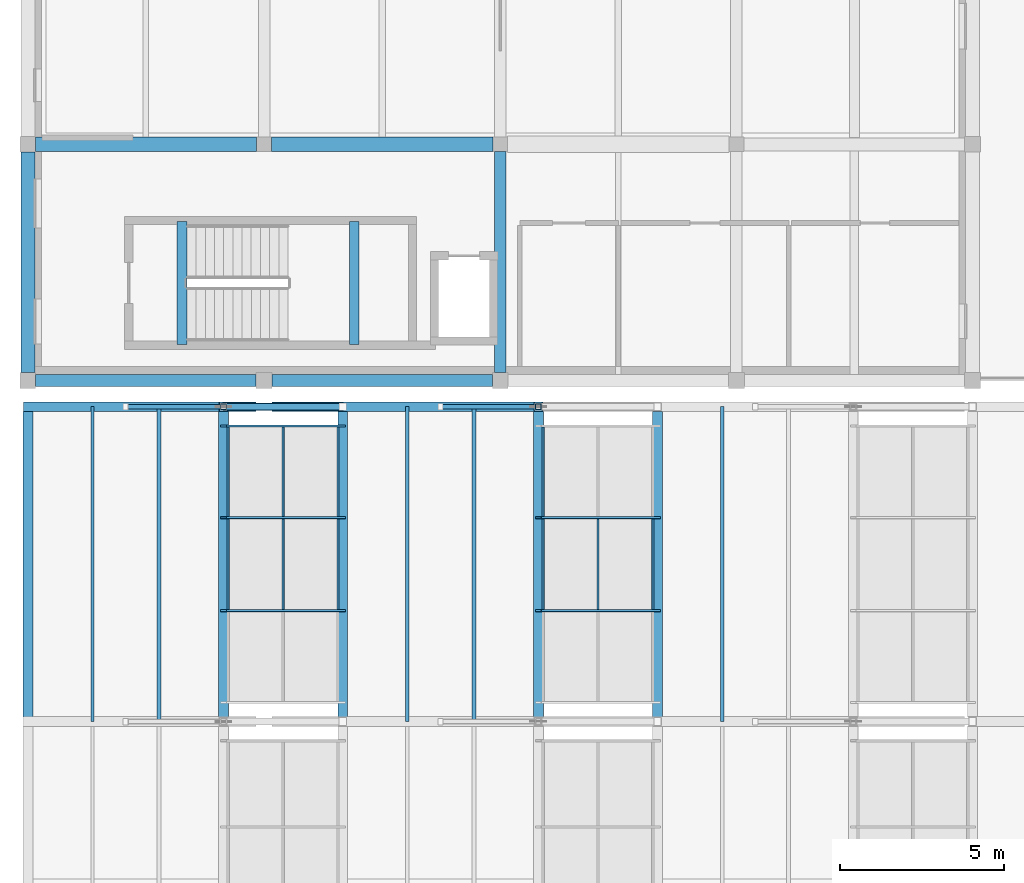
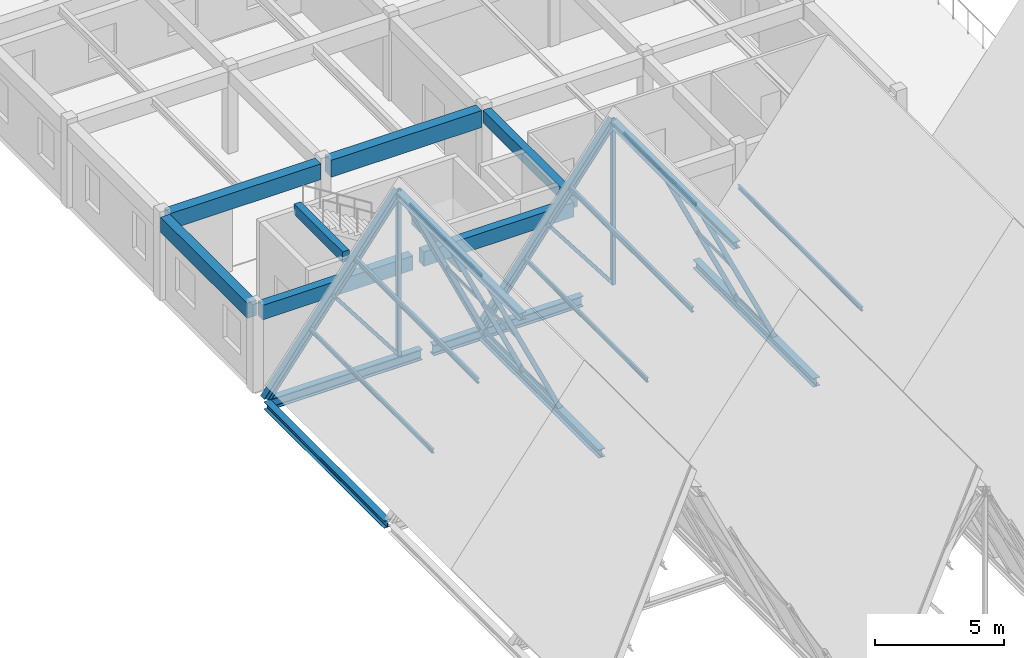
# One storey, part 25 of 99: 27 members, 15 beams, 2 elements without a shape of their own.
"""IFC4 building model written with IfcOpenShell, lengths in metres."""

from ifc_helpers import new_model, si_unit, direction, frame, origin, origin_2d, place, context, subcontext, project, spatial, rectangle, hollow_rectangle, hollow_circle, i_section, extrude, material, material_profile, profile_set, type_object, element, aggregate, save


model = new_model("IFC4")

# Units and contexts
model_context = context("Model", 3, precision=1e-05, world=origin(), true_north=direction((0.0, 1.0)))
body_context = subcontext(model_context, "Body", "Model", "MODEL_VIEW")
ifc_project = project(units=[si_unit("LENGTHUNIT", "METRE"), si_unit("AREAUNIT", "SQUARE_METRE"), si_unit("VOLUMEUNIT", "CUBIC_METRE"), si_unit("PLANEANGLEUNIT", "RADIAN"), si_unit("MASSUNIT", "GRAM", prefix="KILO")], contexts=[model_context])

# Site, building, storey
site_placement = place(None, origin())
site = spatial("IfcSite", under=ifc_project, at=site_placement, CompositionType="ELEMENT")
building_placement = place(site_placement, origin())
building = spatial("IfcBuilding", under=site, at=building_placement, Name="Bramveld Media Centre", CompositionType="ELEMENT")
storey_placement = place(building_placement, frame((0.0, 0.0, 13.800048828125)))
storey = spatial("IfcBuildingStorey", under=building, at=storey_placement, Name="L03", CompositionType="ELEMENT", Elevation=13.800048828125)

# Beams
ifc_material_1 = material(Name="Concrete C40/50", Category="concrete")
ifc_material_profile_1 = material_profile(ifc_material_1, rectangle(XDim=0.300048828125, YDim=0.5, at=origin_2d()), Name="RC 300x500")
ifc_profile_set_1 = profile_set([ifc_material_profile_1], Name="Concrete C40/50")
beam_type_1 = type_object("IfcBeamType", Name="BM-INT-RC-300x500", PredefinedType="BEAM", material=ifc_profile_set_1)
for number, where, z_axis, x_axis, name in (
    (1, (4.699951171875, 40.300048828125, 3.949951171875), (0.0, 1.0, 0.0), (-1.0, 0.0, 0.0), "ST-04 L04 stairwell landing trimmer beam"),
    (2, (9.949951171875, 40.300048828125, 1.64990234375), (0.0, 1.0, 0.0), (-1.0, 0.0, 0.0), "ST-04 L03 stairwell half-landing support beam"),
):
    element("IfcBeam", number, at=place(storey_placement, frame(where, z_axis=z_axis, x_axis=x_axis)), inside=storey, type_object=beam_type_1, Name=name, PredefinedType="BEAM", context=body_context, shape_type="SweptSolid", body=[
        extrude(rectangle(XDim=0.300048828125, YDim=0.5, at=origin_2d()), origin(), (0.0, 0.0, 1.0), 3.75),
    ])
ifc_material_2 = material(Name="Concrete C40/50", Category="concrete")
ifc_material_profile_2 = material_profile(ifc_material_2, rectangle(XDim=0.35009765625, YDim=0.60009765625, at=origin_2d()), Name="RC 350x600")
ifc_profile_set_2 = profile_set([ifc_material_profile_2], Name="Concrete C40/50")
beam_type_2 = type_object("IfcBeamType", Name="BM-INT-RC-350x600", PredefinedType="BEAM", material=ifc_profile_set_2)
beam_1_placement = place(storey_placement, frame((14.39990234375, 39.43994140625, 3.659912109375), z_axis=(0.0, 1.0, 0.0), x_axis=(-1.0, 0.0, 0.0)))
element("IfcBeam", 3, at=beam_1_placement, inside=storey, type_object=beam_type_2, Name="V3 L03 girder Y-416", PredefinedType="BEAM", context=body_context, shape_type="SweptSolid", body=[
    extrude(rectangle(XDim=0.35009765625, YDim=0.60009765625, at=origin_2d()), origin(), (0.0, 0.0, 1.0), 6.735107421875),
])
ifc_material_3 = material(Name="Concrete C40/50", Category="concrete")
ifc_material_profile_3 = material_profile(ifc_material_3, rectangle(XDim=0.449951171875, YDim=0.75, at=origin_2d()), Name="RC 450x750")
ifc_profile_set_3 = profile_set([ifc_material_profile_3], Name="Concrete C40/50")
beam_type_3 = type_object("IfcBeamType", Name="BM-INT-RC-450x750", PredefinedType="BEAM", material=ifc_profile_set_3)
beam_2_placement = place(storey_placement, frame((0.239990234375, 46.39990234375, 3.5849609375), z_axis=(1.0, 0.0, 0.0), x_axis=(0.0, 1.0, 0.0)))
element("IfcBeam", 4, at=beam_2_placement, inside=storey, type_object=beam_type_3, Name="V3 L03 girder X-393", PredefinedType="BEAM", context=body_context, shape_type="SweptSolid", body=[
    extrude(rectangle(XDim=0.449951171875, YDim=0.75, at=origin_2d()), origin(), (0.0, 0.0, 1.0), 6.735107421875),
])
ifc_material_4 = material(Name="Concrete C40/50", Category="concrete")
ifc_material_profile_4 = material_profile(ifc_material_4, rectangle(XDim=0.449951171875, YDim=0.800048828125, at=origin_2d()), Name="RC 450x800")
ifc_profile_set_4 = profile_set([ifc_material_profile_4], Name="Concrete C40/50")
beam_type_4 = type_object("IfcBeamType", Name="BM-INT-RC-450x800", PredefinedType="BEAM", material=ifc_profile_set_4)
beam_3_placement = place(storey_placement, frame((7.425048828125, 46.39990234375, 3.56005859375), z_axis=(1.0, 0.0, 0.0), x_axis=(0.0, 1.0, 0.0)))
element("IfcBeam", 5, at=beam_3_placement, inside=storey, type_object=beam_type_4, Name="V3 L03 girder X-394", PredefinedType="BEAM", context=body_context, shape_type="SweptSolid", body=[
    extrude(rectangle(XDim=0.449951171875, YDim=0.800048828125, at=origin_2d()), origin(), (0.0, 0.0, 1.0), 6.75),
])

# Curtain wall, members
ifc_material_5 = material(Name="Thermally broken anodized bronze aluminium unitized curtain wall with solar-control triple glazing", Category="aluminium")
curtain_wall_type = type_object("IfcCurtainWallType", Name="CW-SAW-8500x8606", PredefinedType="NOTDEFINED", material=ifc_material_5)
curtain_wall_1_placement = place(storey_placement, origin())
curtain_wall_1 = element("IfcCurtainWall", 6, at=curtain_wall_1_placement, inside=storey, type_object=curtain_wall_type, Name="V2 sawtooth north-light clerestory B1-S3", PredefinedType="NOTDEFINED")
ifc_material_6 = material(Name="Thermally broken anodized bronze aluminium EN AW-6063 T6 curtain-wall framing", Category="aluminium")
ifc_material_profile_5 = material_profile(ifc_material_6, hollow_rectangle(XDim=0.070068359375, YDim=0.199951171875, WallThickness=0.00439453125, InnerFilletRadius=0.00439453125, OuterFilletRadius=0.009033203125, at=origin_2d()), Name="AL-MULL 70x200")
ifc_profile_set_5 = profile_set([ifc_material_profile_5], Name="Thermally broken anodized bronze aluminium EN AW-6063 T6 curtain-wall framing")
member_type_1 = type_object("IfcMemberType", Name="CW-MULL-SLP", PredefinedType="MULLION", material=ifc_profile_set_5)
member_1_placement = place(storey_placement, frame((9.60009765625, 32.183349609375, -0.02001953125), z_axis=(-0.423956992265, 0.0, 0.90568232218), x_axis=(0.0, -1.0, 0.0)))
member_1 = element("IfcMember", 7, at=member_1_placement, type_object=member_type_1, Name="CW-SA-8586 sloped mullion 2", PredefinedType="MULLION", context=body_context, shape_type="SweptSolid", body=[
    extrude(hollow_rectangle(XDim=0.070068359375, YDim=0.199951171875, WallThickness=0.00439453125, InnerFilletRadius=0.00439453125, OuterFilletRadius=0.009033203125, at=origin_2d()), origin(), (0.0, 0.0, 1.0), 8.5791015625),
])
member_2_placement = place(storey_placement, frame((9.60009765625, 35.0166015625, -0.02001953125), z_axis=(-0.423956992265, 0.0, 0.90568232218), x_axis=(0.0, -1.0, 0.0)))
member_2 = element("IfcMember", 8, at=member_2_placement, type_object=member_type_1, Name="CW-SA-8586 sloped mullion 3", PredefinedType="MULLION", context=body_context, shape_type="SweptSolid", body=[
    extrude(hollow_rectangle(XDim=0.070068359375, YDim=0.199951171875, WallThickness=0.00439453125, InnerFilletRadius=0.00439453125, OuterFilletRadius=0.009033203125, at=origin_2d()), origin(), (0.0, 0.0, 1.0), 8.5791015625),
])
member_3_placement = place(storey_placement, frame((9.60009765625, 37.81494140625, -0.02001953125), z_axis=(-0.423956992265, 0.0, 0.90568232218), x_axis=(0.0, -1.0, 0.0)))
member_3 = element("IfcMember", 9, at=member_3_placement, type_object=member_type_1, Name="CW-SA-8586 sloped mullion 4", PredefinedType="MULLION", context=body_context, shape_type="SweptSolid", body=[
    extrude(hollow_rectangle(XDim=0.070068359375, YDim=0.199951171875, WallThickness=0.00439453125, InnerFilletRadius=0.00439453125, OuterFilletRadius=0.009033203125, at=origin_2d()), origin(), (0.0, 0.0, 1.0), 8.5791015625),
])

curtain_wall_2_placement = place(storey_placement, origin())
curtain_wall_2 = element("IfcCurtainWall", 10, at=curtain_wall_2_placement, inside=storey, type_object=curtain_wall_type, Name="V2 sawtooth north-light clerestory B2-S3", PredefinedType="NOTDEFINED")
member_4_placement = place(storey_placement, frame((19.199951171875, 32.183349609375, -0.02001953125), z_axis=(-0.423956992265, 0.0, 0.90568232218), x_axis=(0.0, -1.0, 0.0)))
member_4 = element("IfcMember", 11, at=member_4_placement, type_object=member_type_1, Name="CW-SA-8586 sloped mullion 2", PredefinedType="MULLION", context=body_context, shape_type="SweptSolid", body=[
    extrude(hollow_rectangle(XDim=0.070068359375, YDim=0.199951171875, WallThickness=0.00439453125, InnerFilletRadius=0.00439453125, OuterFilletRadius=0.009033203125, at=origin_2d()), origin(), (0.0, 0.0, 1.0), 8.5791015625),
])
member_5_placement = place(storey_placement, frame((19.199951171875, 35.0166015625, -0.02001953125), z_axis=(-0.423956992265, 0.0, 0.90568232218), x_axis=(0.0, -1.0, 0.0)))
member_5 = element("IfcMember", 12, at=member_5_placement, type_object=member_type_1, Name="CW-SA-8586 sloped mullion 3", PredefinedType="MULLION", context=body_context, shape_type="SweptSolid", body=[
    extrude(hollow_rectangle(XDim=0.070068359375, YDim=0.199951171875, WallThickness=0.00439453125, InnerFilletRadius=0.00439453125, OuterFilletRadius=0.009033203125, at=origin_2d()), origin(), (0.0, 0.0, 1.0), 8.5791015625),
])

# Member
ifc_material_7 = material(Name="Thermally broken anodized bronze aluminium EN AW-6063 T6 curtain-wall framing", Category="aluminium")
ifc_material_profile_6 = material_profile(ifc_material_7, hollow_rectangle(XDim=0.070068359375, YDim=0.14990234375, WallThickness=0.00390625, InnerFilletRadius=0.00390625, OuterFilletRadius=0.008056640625, at=origin_2d()), Name="AL-TRAN 70x150")
ifc_profile_set_6 = profile_set([ifc_material_profile_6], Name="Thermally broken anodized bronze aluminium EN AW-6063 T6 curtain-wall framing")
member_type_2 = type_object("IfcMemberType", Name="CW-TRAN-SLP", PredefinedType="USERDEFINED", material=ifc_profile_set_6)
member_6_placement = place(storey_placement, frame((9.45458984375, 32.21826171875, 0.290771484375), z_axis=(0.0, 1.0, 0.0), x_axis=(-1.0, 0.0, 0.0)))
member_6 = element("IfcMember", 13, at=member_6_placement, type_object=member_type_2, Name="CW-SA-8586 transom 2.1", ObjectType="TRANSOM", PredefinedType="USERDEFINED", context=body_context, shape_type="SweptSolid", body=[
    extrude(hollow_rectangle(XDim=0.070068359375, YDim=0.14990234375, WallThickness=0.00390625, InnerFilletRadius=0.00390625, OuterFilletRadius=0.008056640625, at=origin_2d()), origin(), (0.0, 0.0, 1.0), 2.763427734375),
])

member_7_placement = place(storey_placement, frame((7.781494140625, 32.21826171875, 3.864990234375), z_axis=(0.0, 1.0, 0.0), x_axis=(-1.0, 0.0, 0.0)))
member_7 = element("IfcMember", 14, at=member_7_placement, type_object=member_type_2, Name="CW-SA-8586 transom 2.2", ObjectType="TRANSOM", PredefinedType="USERDEFINED", context=body_context, shape_type="SweptSolid", body=[
    extrude(hollow_rectangle(XDim=0.070068359375, YDim=0.14990234375, WallThickness=0.00390625, InnerFilletRadius=0.00390625, OuterFilletRadius=0.008056640625, at=origin_2d()), origin(), (0.0, 0.0, 1.0), 2.763427734375),
])

member_8_placement = place(storey_placement, frame((6.1083984375, 32.21826171875, 7.439208984375), z_axis=(0.0, 1.0, 0.0), x_axis=(-1.0, 0.0, 0.0)))
member_8 = element("IfcMember", 15, at=member_8_placement, type_object=member_type_2, Name="CW-SA-8586 transom 2.3", ObjectType="TRANSOM", PredefinedType="USERDEFINED", context=body_context, shape_type="SweptSolid", body=[
    extrude(hollow_rectangle(XDim=0.070068359375, YDim=0.14990234375, WallThickness=0.00390625, InnerFilletRadius=0.00390625, OuterFilletRadius=0.008056640625, at=origin_2d()), origin(), (0.0, 0.0, 1.0), 2.763427734375),
])

member_9_placement = place(storey_placement, frame((9.45458984375, 35.0517578125, 0.290771484375), z_axis=(0.0, 1.0, 0.0), x_axis=(-1.0, 0.0, 0.0)))
member_9 = element("IfcMember", 16, at=member_9_placement, type_object=member_type_2, Name="CW-SA-8586 transom 3.1", ObjectType="TRANSOM", PredefinedType="USERDEFINED", context=body_context, shape_type="SweptSolid", body=[
    extrude(hollow_rectangle(XDim=0.070068359375, YDim=0.14990234375, WallThickness=0.00390625, InnerFilletRadius=0.00390625, OuterFilletRadius=0.008056640625, at=origin_2d()), origin(), (0.0, 0.0, 1.0), 2.728271484375),
])

member_10_placement = place(storey_placement, frame((7.781494140625, 35.0517578125, 3.864990234375), z_axis=(0.0, 1.0, 0.0), x_axis=(-1.0, 0.0, 0.0)))
member_10 = element("IfcMember", 17, at=member_10_placement, type_object=member_type_2, Name="CW-SA-8586 transom 3.2", ObjectType="TRANSOM", PredefinedType="USERDEFINED", context=body_context, shape_type="SweptSolid", body=[
    extrude(hollow_rectangle(XDim=0.070068359375, YDim=0.14990234375, WallThickness=0.00390625, InnerFilletRadius=0.00390625, OuterFilletRadius=0.008056640625, at=origin_2d()), origin(), (0.0, 0.0, 1.0), 2.728271484375),
])

member_11_placement = place(storey_placement, frame((6.1083984375, 35.0517578125, 7.439208984375), z_axis=(0.0, 1.0, 0.0), x_axis=(-1.0, 0.0, 0.0)))
member_11 = element("IfcMember", 18, at=member_11_placement, type_object=member_type_2, Name="CW-SA-8586 transom 3.3", ObjectType="TRANSOM", PredefinedType="USERDEFINED", context=body_context, shape_type="SweptSolid", body=[
    extrude(hollow_rectangle(XDim=0.070068359375, YDim=0.14990234375, WallThickness=0.00390625, InnerFilletRadius=0.00390625, OuterFilletRadius=0.008056640625, at=origin_2d()), origin(), (0.0, 0.0, 1.0), 2.728271484375),
])

aggregate(curtain_wall_1, [member_1, member_2, member_3, member_6, member_7, member_8, member_9, member_10, member_11])

member_12_placement = place(storey_placement, frame((19.054443359375, 32.21826171875, 0.290771484375), z_axis=(0.0, 1.0, 0.0), x_axis=(-1.0, 0.0, 0.0)))
member_12 = element("IfcMember", 19, at=member_12_placement, type_object=member_type_2, Name="CW-SA-8586 transom 2.1", ObjectType="TRANSOM", PredefinedType="USERDEFINED", context=body_context, shape_type="SweptSolid", body=[
    extrude(hollow_rectangle(XDim=0.070068359375, YDim=0.14990234375, WallThickness=0.00390625, InnerFilletRadius=0.00390625, OuterFilletRadius=0.008056640625, at=origin_2d()), origin(), (0.0, 0.0, 1.0), 2.763427734375),
])

member_13_placement = place(storey_placement, frame((17.38134765625, 32.21826171875, 3.864990234375), z_axis=(0.0, 1.0, 0.0), x_axis=(-1.0, 0.0, 0.0)))
member_13 = element("IfcMember", 20, at=member_13_placement, type_object=member_type_2, Name="CW-SA-8586 transom 2.2", ObjectType="TRANSOM", PredefinedType="USERDEFINED", context=body_context, shape_type="SweptSolid", body=[
    extrude(hollow_rectangle(XDim=0.070068359375, YDim=0.14990234375, WallThickness=0.00390625, InnerFilletRadius=0.00390625, OuterFilletRadius=0.008056640625, at=origin_2d()), origin(), (0.0, 0.0, 1.0), 2.763427734375),
])

member_14_placement = place(storey_placement, frame((15.708251953125, 32.21826171875, 7.439208984375), z_axis=(0.0, 1.0, 0.0), x_axis=(-1.0, 0.0, 0.0)))
member_14 = element("IfcMember", 21, at=member_14_placement, type_object=member_type_2, Name="CW-SA-8586 transom 2.3", ObjectType="TRANSOM", PredefinedType="USERDEFINED", context=body_context, shape_type="SweptSolid", body=[
    extrude(hollow_rectangle(XDim=0.070068359375, YDim=0.14990234375, WallThickness=0.00390625, InnerFilletRadius=0.00390625, OuterFilletRadius=0.008056640625, at=origin_2d()), origin(), (0.0, 0.0, 1.0), 2.763427734375),
])

member_15_placement = place(storey_placement, frame((15.708251953125, 35.0517578125, 7.439208984375), z_axis=(0.0, 1.0, 0.0), x_axis=(-1.0, 0.0, 0.0)))
member_15 = element("IfcMember", 22, at=member_15_placement, type_object=member_type_2, Name="CW-SA-8586 transom 3.3", ObjectType="TRANSOM", PredefinedType="USERDEFINED", context=body_context, shape_type="SweptSolid", body=[
    extrude(hollow_rectangle(XDim=0.070068359375, YDim=0.14990234375, WallThickness=0.00390625, InnerFilletRadius=0.00390625, OuterFilletRadius=0.008056640625, at=origin_2d()), origin(), (0.0, 0.0, 1.0), 2.728271484375),
])

aggregate(curtain_wall_2, [member_4, member_5, member_12, member_13, member_14, member_15])

# Members
ifc_material_8 = material(Name="Steel S355J2H", Category="steel")
ifc_material_profile_7 = material_profile(ifc_material_8, hollow_circle(Radius=0.109619140625, WallThickness=0.012451171875, at=origin_2d()), Name="CHS 219.1x12.5")
ifc_profile_set_7 = profile_set([ifc_material_profile_7], Name="Steel S355J2H")
member_type_3 = type_object("IfcMemberType", Name="MEM-BRACE-CHS219", PredefinedType="BRACE", material=ifc_profile_set_7)
member_16_placement = place(storey_placement, frame((9.60009765625, 38.39990234375, 0.0), z_axis=(-0.422616785161, 0.0, 0.906308475575), x_axis=(0.0, -1.0, 0.0)))
element("IfcMember", 23, at=member_16_placement, inside=storey, type_object=member_type_3, Name="TRUSS-V2-B01-F5 north-light strut", PredefinedType="BRACE", context=body_context, shape_type="SweptSolid", body=[
    extrude(hollow_circle(Radius=0.109619140625, WallThickness=0.012451171875, at=origin_2d()), origin(), (0.0, 0.0, 1.0), 8.6064453125),
])
ifc_material_9 = material(Name="Steel S355J2H", Category="steel")
ifc_material_profile_8 = material_profile(ifc_material_9, hollow_rectangle(XDim=0.14990234375, YDim=0.14990234375, WallThickness=0.010009765625, InnerFilletRadius=0.010009765625, OuterFilletRadius=0.02001953125, at=origin_2d()), Name="SHS 150x150x10")
ifc_profile_set_8 = profile_set([ifc_material_profile_8], Name="Steel S355J2H")
member_type_4 = type_object("IfcMemberType", Name="MEM-BRACE-SHS150", PredefinedType="BRACE", material=ifc_profile_set_8)
for number, where, z_axis, x_axis, name in (
    (24, (5.962890625, 38.39990234375, 0.0), (-0.607343034298, 0.0, 0.794439701104), (0.0, -1.0, 0.0), "TRUSS-V2-B01-F5 web diagonal"),
    (25, (15.562744140625, 38.39990234375, 0.0), (-0.607343034298, 0.0, 0.794439701104), (0.0, -1.0, 0.0), "TRUSS-V2-B02-F5 web diagonal"),
):
    element("IfcMember", number, at=place(storey_placement, frame(where, z_axis=z_axis, x_axis=x_axis)), inside=storey, type_object=member_type_4, Name=name, PredefinedType="BRACE", context=body_context, shape_type="SweptSolid", body=[
        extrude(hollow_rectangle(XDim=0.14990234375, YDim=0.14990234375, WallThickness=0.010009765625, InnerFilletRadius=0.010009765625, OuterFilletRadius=0.02001953125, at=origin_2d()), origin(), (0.0, 0.0, 1.0), 4.908935546875),
    ])
ifc_material_10 = material(Name="Steel S355J2", Category="steel")
ifc_material_profile_9 = material_profile(ifc_material_10, i_section(OverallWidth=0.300048828125, OverallDepth=0.340087890625, WebThickness=0.011962890625, FlangeThickness=0.021484375, FilletRadius=0.027099609375, at=origin_2d()), Name="HEB 340")
ifc_profile_set_9 = profile_set([ifc_material_profile_9], Name="Steel S355J2")
member_type_5 = type_object("IfcMemberType", Name="MEM-CHORD-HEB340", PredefinedType="CHORD", material=ifc_profile_set_9)
for number, where, z_axis, x_axis, name in (
    (26, (0.0, 38.39990234375, 0.0), (0.607331036372, 0.0, 0.794448873282), (0.0, 1.0, 0.0), "TRUSS-V2-B01-F5 top rafter chord"),
    (27, (9.60009765625, 38.39990234375, 0.0), (0.607315341765, 0.0, 0.794460871067), (0.0, 1.0, 0.0), "TRUSS-V2-B02-F5 top rafter chord"),
):
    element("IfcMember", number, at=place(storey_placement, frame(where, z_axis=z_axis, x_axis=x_axis)), inside=storey, type_object=member_type_5, Name=name, PredefinedType="CHORD", context=body_context, shape_type="SweptSolid", body=[
        extrude(i_section(OverallWidth=0.300048828125, OverallDepth=0.340087890625, WebThickness=0.011962890625, FlangeThickness=0.021484375, FilletRadius=0.027099609375, at=origin_2d()), origin(), (0.0, 0.0, 1.0), 9.818115234375),
    ])
ifc_material_11 = material(Name="Steel S355J2H", Category="steel")
ifc_material_profile_10 = material_profile(ifc_material_11, hollow_rectangle(XDim=0.179931640625, YDim=0.179931640625, WallThickness=0.010009765625, InnerFilletRadius=0.010009765625, OuterFilletRadius=0.02001953125, at=origin_2d()), Name="SHS 180x180x10")
ifc_profile_set_10 = profile_set([ifc_material_profile_10], Name="Steel S355J2H")
member_type_6 = type_object("IfcMemberType", Name="MEM-POST-SHS180", PredefinedType="POST", material=ifc_profile_set_10)
for number, where, z_axis, x_axis, name in (
    (28, (5.962890625, 38.39990234375, 0.0), (0.0, 0.0, 1.0), (1.0, 0.0, 0.0), "TRUSS-V2-B01-F5 kingpost"),
    (29, (15.562744140625, 38.39990234375, 0.0), (0.0, 0.0, 1.0), (1.0, 0.0, 0.0), "TRUSS-V2-B02-F5 kingpost"),
):
    element("IfcMember", number, at=place(storey_placement, frame(where, z_axis=z_axis, x_axis=x_axis)), inside=storey, type_object=member_type_6, Name=name, PredefinedType="POST", context=body_context, shape_type="SweptSolid", body=[
        extrude(hollow_rectangle(XDim=0.179931640625, YDim=0.179931640625, WallThickness=0.010009765625, InnerFilletRadius=0.010009765625, OuterFilletRadius=0.02001953125, at=origin_2d()), origin(), (0.0, 0.0, 1.0), 7.800048828125),
    ])
ifc_material_12 = material(Name="Steel S355J2", Category="steel")
ifc_material_profile_11 = material_profile(ifc_material_12, i_section(OverallWidth=0.10009765625, OverallDepth=0.199951171875, WebThickness=0.005615234375, FlangeThickness=0.008544921875, FilletRadius=0.011962890625, at=origin_2d()), Name="IPE 200")
ifc_profile_set_11 = profile_set([ifc_material_profile_11], Name="Steel S355J2")
member_type_7 = type_object("IfcMemberType", Name="MEM-PURLIN-IPE200", PredefinedType="PURLIN", material=ifc_profile_set_11)
for number, where, z_axis, x_axis, name in (
    (30, (1.9677734375, 28.800048828125, 2.650146484375), (0.0, 1.0, 0.0), (-1.0, 0.0, 0.0), "V2 roof purlin"),
    (31, (11.567626953125, 28.800048828125, 2.650146484375), (0.0, 1.0, 0.0), (-1.0, 0.0, 0.0), "V2 roof purlin"),
    (32, (21.167724609375, 28.800048828125, 2.650146484375), (0.0, 1.0, 0.0), (-1.0, 0.0, 0.0), "V2 roof purlin"),
):
    element("IfcMember", number, at=place(storey_placement, frame(where, z_axis=z_axis, x_axis=x_axis)), inside=storey, type_object=member_type_7, Name=name, PredefinedType="PURLIN", context=body_context, shape_type="SweptSolid", body=[
        extrude(i_section(OverallWidth=0.10009765625, OverallDepth=0.199951171875, WebThickness=0.005615234375, FlangeThickness=0.008544921875, FilletRadius=0.011962890625, at=origin_2d()), origin(), (0.0, 0.0, 1.0), 9.599853515625),
    ])
ifc_material_13 = material(Name="Steel S355J2", Category="steel")
ifc_material_profile_12 = material_profile(ifc_material_13, i_section(OverallWidth=0.1201171875, OverallDepth=0.239990234375, WebThickness=0.006103515625, FlangeThickness=0.009765625, FilletRadius=0.014892578125, at=origin_2d()), Name="IPE 240")
ifc_profile_set_12 = profile_set([ifc_material_profile_12], Name="Steel S355J2")
member_type_8 = type_object("IfcMemberType", Name="MEM-PURLIN-IPE240", PredefinedType="PURLIN", material=ifc_profile_set_12)
for number, where, z_axis, x_axis, name in (
    (33, (3.9951171875, 28.800048828125, 5.26904296875), (0.0, 1.0, 0.0), (-1.0, 0.0, 0.0), "V2 roof purlin"),
    (34, (13.59521484375, 28.800048828125, 5.26904296875), (0.0, 1.0, 0.0), (-1.0, 0.0, 0.0), "V2 roof purlin"),
):
    element("IfcMember", number, at=place(storey_placement, frame(where, z_axis=z_axis, x_axis=x_axis)), inside=storey, type_object=member_type_8, Name=name, PredefinedType="PURLIN", context=body_context, shape_type="SweptSolid", body=[
        extrude(i_section(OverallWidth=0.1201171875, OverallDepth=0.239990234375, WebThickness=0.006103515625, FlangeThickness=0.009765625, FilletRadius=0.014892578125, at=origin_2d()), origin(), (0.0, 0.0, 1.0), 9.599853515625),
    ])

# Beams
ifc_material_14 = material(Name="Steel S355J2", Category="steel")
ifc_material_profile_13 = material_profile(ifc_material_14, i_section(OverallWidth=0.300048828125, OverallDepth=0.35009765625, WebThickness=0.010009765625, FlangeThickness=0.017578125, FilletRadius=0.027099609375, at=origin_2d()), Name="HEA 360")
ifc_profile_set_13 = profile_set([ifc_material_profile_13], Name="Steel S355J2")
beam_type_5 = type_object("IfcBeamType", Name="SBM-EXT-HEA-360", PredefinedType="BEAM", material=ifc_profile_set_13)
beam_4_placement = place(storey_placement, frame((0.0, 28.93994140625, -0.175048828125), z_axis=(0.0, 1.0, 0.0), x_axis=(-1.0, 0.0, 0.0)))
element("IfcBeam", 35, at=beam_4_placement, inside=storey, type_object=beam_type_5, Name="V2 valley spine girder 0", PredefinedType="BEAM", context=body_context, shape_type="SweptSolid", body=[
    extrude(i_section(OverallWidth=0.300048828125, OverallDepth=0.35009765625, WebThickness=0.010009765625, FlangeThickness=0.017578125, FilletRadius=0.027099609375, at=origin_2d()), origin(), (0.0, 0.0, 1.0), 9.320068359375),
])
ifc_material_15 = material(Name="Steel S355J2", Category="steel")
ifc_material_profile_14 = material_profile(ifc_material_15, i_section(OverallWidth=0.300048828125, OverallDepth=0.5, WebThickness=0.014404296875, FlangeThickness=0.028076171875, FilletRadius=0.027099609375, at=origin_2d()), Name="HEB 500")
ifc_profile_set_14 = profile_set([ifc_material_profile_14], Name="Steel S355J2")
beam_type_6 = type_object("IfcBeamType", Name="SBM-EXT-HEB-500", PredefinedType="BEAM", material=ifc_profile_set_14)
for number, where, z_axis, x_axis, name in (
    (36, (0.25, 38.39990234375, -0.25), (1.0, 0.0, 0.0), (0.0, 1.0, 0.0), "V2 sawtooth tie girder"),
    (37, (7.449951171875, 38.39990234375, -0.25), (1.0, 0.0, 0.0), (0.0, 1.0, 0.0), "V2 sawtooth tie girder"),
):
    element("IfcBeam", number, at=place(storey_placement, frame(where, z_axis=z_axis, x_axis=x_axis)), inside=storey, type_object=beam_type_6, Name=name, PredefinedType="BEAM", context=body_context, shape_type="SweptSolid", body=[
        extrude(i_section(OverallWidth=0.300048828125, OverallDepth=0.5, WebThickness=0.014404296875, FlangeThickness=0.028076171875, FilletRadius=0.027099609375, at=origin_2d()), origin(), (0.0, 0.0, 1.0), 6.699951171875),
    ])
ifc_material_16 = material(Name="Steel S355J2", Category="steel")
ifc_material_profile_15 = material_profile(ifc_material_16, i_section(OverallWidth=0.300048828125, OverallDepth=0.330078125, WebThickness=0.009521484375, FlangeThickness=0.0166015625, FilletRadius=0.027099609375, at=origin_2d()), Name="HEA 340")
ifc_profile_set_15 = profile_set([ifc_material_profile_15], Name="Steel S355J2")
beam_type_7 = type_object("IfcBeamType", Name="SBM-INT-HEA-340", PredefinedType="BEAM", material=ifc_profile_set_15)
for number, where, z_axis, x_axis, name in (
    (38, (5.962890625, 28.800048828125, 7.635009765625), (0.0, 1.0, 0.0), (-1.0, 0.0, 0.0), "V2 ridge spine beam"),
    (39, (15.562744140625, 28.800048828125, 7.635009765625), (0.0, 1.0, 0.0), (-1.0, 0.0, 0.0), "V2 ridge spine beam"),
):
    element("IfcBeam", number, at=place(storey_placement, frame(where, z_axis=z_axis, x_axis=x_axis)), inside=storey, type_object=beam_type_7, Name=name, PredefinedType="BEAM", context=body_context, shape_type="SweptSolid", body=[
        extrude(i_section(OverallWidth=0.300048828125, OverallDepth=0.330078125, WebThickness=0.009521484375, FlangeThickness=0.0166015625, FilletRadius=0.027099609375, at=origin_2d()), origin(), (0.0, 0.0, 1.0), 9.599853515625),
    ])
ifc_material_17 = material(Name="Steel S355J2", Category="steel")
ifc_material_profile_16 = material_profile(ifc_material_17, i_section(OverallWidth=0.300048828125, OverallDepth=0.39990234375, WebThickness=0.013427734375, FlangeThickness=0.02392578125, FilletRadius=0.027099609375, at=origin_2d()), Name="HEB 400")
ifc_profile_set_16 = profile_set([ifc_material_profile_16], Name="Steel S355J2")
beam_type_8 = type_object("IfcBeamType", Name="SBM-INT-HEB-400", PredefinedType="BEAM", material=ifc_profile_set_16)
for number, where, z_axis, x_axis, name in (
    (40, (9.60009765625, 28.93994140625, -0.199951171875), (0.0, 1.0, 0.0), (-1.0, 0.0, 0.0), "V2 valley spine girder 1"),
    (41, (19.199951171875, 28.93994140625, -0.199951171875), (0.0, 1.0, 0.0), (-1.0, 0.0, 0.0), "V2 valley spine girder 2"),
):
    element("IfcBeam", number, at=place(storey_placement, frame(where, z_axis=z_axis, x_axis=x_axis)), inside=storey, type_object=beam_type_8, Name=name, PredefinedType="BEAM", context=body_context, shape_type="SweptSolid", body=[
        extrude(i_section(OverallWidth=0.300048828125, OverallDepth=0.39990234375, WebThickness=0.013427734375, FlangeThickness=0.02392578125, FilletRadius=0.027099609375, at=origin_2d()), origin(), (0.0, 0.0, 1.0), 9.320068359375),
    ])
ifc_material_18 = material(Name="Concrete C40/50", Category="concrete")
ifc_material_profile_17 = material_profile(ifc_material_18, rectangle(XDim=0.3798828125, YDim=0.679931640625, at=origin_2d()), Name="RC 380x680")
ifc_profile_set_17 = profile_set([ifc_material_profile_17], Name="Concrete C40/50")
beam_type_9 = type_object("IfcBeamType", Name="SPANDREL-EXT-RC-380x680", PredefinedType="SPANDREL", material=ifc_profile_set_17)
for number, where, z_axis, x_axis, name in (
    (42, (0.239990234375, 39.199951171875, 3.619873046875), (1.0, 0.0, 0.0), (0.0, 1.0, 0.0), "V3 L03 girder X-389"),
    (43, (7.43994140625, 39.199951171875, 3.619873046875), (1.0, 0.0, 0.0), (0.0, 1.0, 0.0), "V3 L03 girder X-390"),
):
    element("IfcBeam", number, at=place(storey_placement, frame(where, z_axis=z_axis, x_axis=x_axis)), inside=storey, type_object=beam_type_9, Name=name, PredefinedType="SPANDREL", context=body_context, shape_type="SweptSolid", body=[
        extrude(rectangle(XDim=0.3798828125, YDim=0.679931640625, at=origin_2d()), origin(), (0.0, 0.0, 1.0), 6.719970703125),
    ])
ifc_material_19 = material(Name="Concrete C40/50", Category="concrete")
ifc_material_profile_18 = material_profile(ifc_material_19, rectangle(XDim=0.419921875, YDim=0.719970703125, at=origin_2d()), Name="RC 420x720")
ifc_profile_set_18 = profile_set([ifc_material_profile_18], Name="Concrete C40/50")
beam_type_10 = type_object("IfcBeamType", Name="SPANDREL-EXT-RC-420x720", PredefinedType="SPANDREL", material=ifc_profile_set_18)
beam_5_placement = place(storey_placement, frame((0.0, 39.43994140625, 3.599853515625), z_axis=(0.0, 1.0, 0.0), x_axis=(-1.0, 0.0, 0.0)))
element("IfcBeam", 44, at=beam_5_placement, inside=storey, type_object=beam_type_10, Name="V3 L03 girder Y-409", PredefinedType="SPANDREL", context=body_context, shape_type="SweptSolid", body=[
    extrude(rectangle(XDim=0.419921875, YDim=0.719970703125, at=origin_2d()), origin(), (0.0, 0.0, 1.0), 6.719970703125),
])

save(model, "model.ifc")
